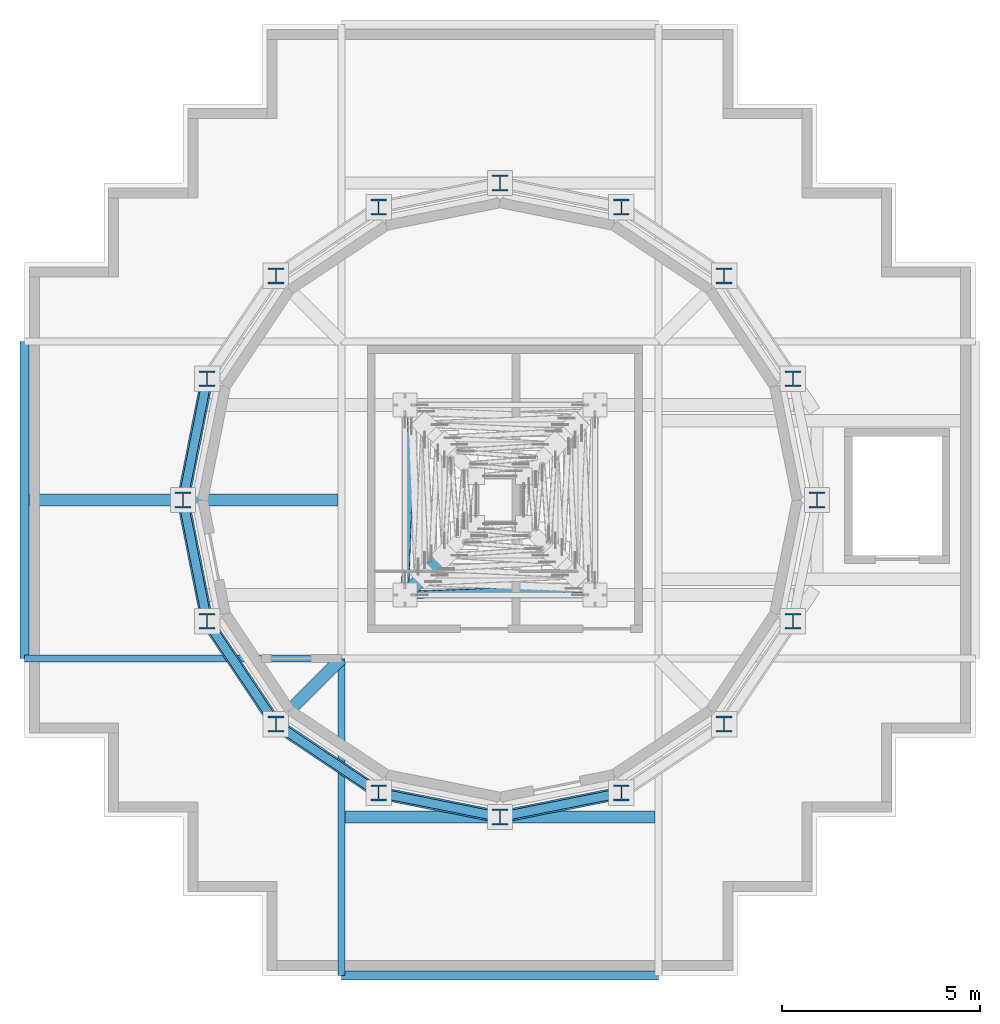
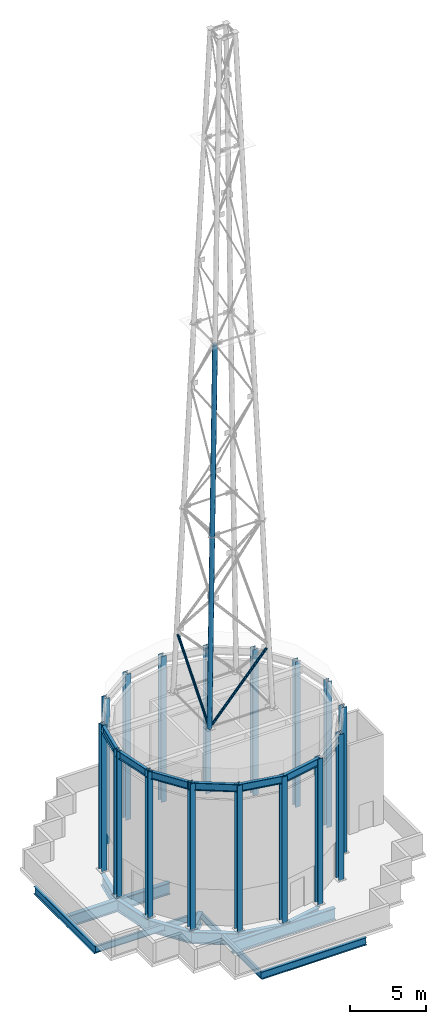
# One storey, part 1 of 15: 19 beams, 16 columns, 4 members.
"""IFC4 building model written with IfcOpenShell, lengths in metres."""

from ifc_helpers import new_model, si_unit, direction, frame, origin, origin_2d, place, context, subcontext, project, spatial, hollow_circle, i_section, extrude, material, material_profile, profile_set, type_object, element, save


model = new_model("IFC4")

# Units and contexts
model_context = context("Model", 3, precision=1e-05, world=origin(), true_north=direction((0.0, 1.0)))
body_context = subcontext(model_context, "Body", "Model", "MODEL_VIEW")
ifc_project = project(units=[si_unit("LENGTHUNIT", "METRE"), si_unit("AREAUNIT", "SQUARE_METRE"), si_unit("VOLUMEUNIT", "CUBIC_METRE"), si_unit("PLANEANGLEUNIT", "RADIAN"), si_unit("MASSUNIT", "GRAM", prefix="KILO")], contexts=[model_context])

# Site, building, storey
site_placement = place(None, origin())
site = spatial("IfcSite", under=ifc_project, at=site_placement, CompositionType="ELEMENT")
building_placement = place(site_placement, origin())
building = spatial("IfcBuilding", under=site, at=building_placement, Name="Immortelle Media Tower", CompositionType="ELEMENT")
storey_placement = place(building_placement, frame((0.0, 0.0, 308.0)))
storey = spatial("IfcBuildingStorey", under=building, at=storey_placement, Name="Roof", CompositionType="ELEMENT", Elevation=308.0)

# Columns
ifc_material_1 = material(Name="Steel ASTM A992 Gr 50", Category="steel")
ifc_material_profile_1 = material_profile(ifc_material_1, i_section(OverallWidth=0.40087890625, OverallDepth=0.39892578125, WebThickness=0.02490234375, FlangeThickness=0.0400390625, at=origin_2d()), Name="W14x211")
ifc_profile_set_1 = profile_set([ifc_material_profile_1], Name="Steel ASTM A992 Gr 50")
column_type = type_object("IfcColumnType", Name="W14x211 column", PredefinedType="COLUMN", material=ifc_profile_set_1)
for number, where, z_axis, x_axis, name in (
    (1, (20.0, 12.0, 0.0), (0.0, 0.0, 1.0), (1.0, 0.0, 0.0), "Drum column 1"),
    (2, (19.39111328125, 15.0615234375, 0.0), (0.0, 0.0, 1.0), (1.0, 0.0, 0.0), "Drum column 2"),
    (3, (17.656982421875, 17.656982421875, 0.0), (0.0, 0.0, 1.0), (1.0, 0.0, 0.0), "Drum column 3"),
    (4, (15.0615234375, 19.39111328125, 0.0), (0.0, 0.0, 1.0), (1.0, 0.0, 0.0), "Drum column 4"),
    (5, (12.0, 20.0, 0.0), (0.0, 0.0, 1.0), (1.0, 0.0, 0.0), "Drum column 5"),
    (6, (8.9384765625, 19.39111328125, 0.0), (0.0, 0.0, 1.0), (1.0, 0.0, 0.0), "Drum column 6"),
    (7, (6.343017578125, 17.656982421875, 0.0), (0.0, 0.0, 1.0), (1.0, 0.0, 0.0), "Drum column 7"),
    (8, (4.60888671875, 15.0615234375, 0.0), (0.0, 0.0, 1.0), (1.0, 0.0, 0.0), "Drum column 8"),
    (9, (4.0, 12.0, 0.0), (0.0, 0.0, 1.0), (1.0, 0.0, 0.0), "Drum column 9"),
    (10, (4.60888671875, 8.9384765625, 0.0), (0.0, 0.0, 1.0), (1.0, 0.0, 0.0), "Drum column 10"),
    (11, (6.343017578125, 6.343017578125, 0.0), (0.0, 0.0, 1.0), (1.0, 0.0, 0.0), "Drum column 11"),
    (12, (8.9384765625, 4.60888671875, 0.0), (0.0, 0.0, 1.0), (1.0, 0.0, 0.0), "Drum column 12"),
    (13, (12.0, 4.0, 0.0), (0.0, 0.0, 1.0), (1.0, 0.0, 0.0), "Drum column 13"),
    (14, (15.0615234375, 4.60888671875, 0.0), (0.0, 0.0, 1.0), (1.0, 0.0, 0.0), "Drum column 14"),
    (15, (17.656982421875, 6.343017578125, 0.0), (0.0, 0.0, 1.0), (1.0, 0.0, 0.0), "Drum column 15"),
    (16, (19.39111328125, 8.9384765625, 0.0), (0.0, 0.0, 1.0), (1.0, 0.0, 0.0), "Drum column 16"),
):
    element("IfcColumn", number, at=place(storey_placement, frame(where, z_axis=z_axis, x_axis=x_axis)), inside=storey, type_object=column_type, Name=name, PredefinedType="COLUMN", context=body_context, shape_type="SweptSolid", body=[
        extrude(i_section(OverallWidth=0.40087890625, OverallDepth=0.39892578125, WebThickness=0.02490234375, FlangeThickness=0.0400390625, at=origin_2d()), origin(), (0.0, 0.0, 1.0), 11.75),
    ])

# Members
ifc_material_2 = material(Name="Steel S355J2H", Category="steel")
ifc_material_profile_2 = material_profile(ifc_material_2, hollow_circle(Radius=0.096923828125, WallThickness=0.008056640625, at=origin_2d()), Name="CHS 193.7 x 8")
ifc_profile_set_2 = profile_set([ifc_material_profile_2], Name="Steel S355J2H")
member_type_1 = type_object("IfcMemberType", Name="MAST brace CHS 193.7 x 8", PredefinedType="BRACE", material=ifc_profile_set_2)
for number, where, z_axis, x_axis, name in (
    (17, (9.772705078125, 9.606201171875, 13.17626953125), (0.679475653156, 0.024450755155, 0.73329052724), (-0.035961464902, 0.999353177331, 0.0), "MAST brace 1A"),
    (18, (9.606201171875, 9.772705078125, 13.17626953125), (0.024450755155, 0.679475653156, 0.73329052724), (-0.999353177331, 0.035961464902, 0.0), "MAST brace 1D"),
):
    element("IfcMember", number, at=place(storey_placement, frame(where, z_axis=z_axis, x_axis=x_axis)), inside=storey, type_object=member_type_1, Name=name, PredefinedType="BRACE", context=body_context, shape_type="SweptSolid", body=[
        extrude(hollow_circle(Radius=0.096923828125, WallThickness=0.008056640625, at=origin_2d()), origin(), (0.0, 0.0, 1.0), 6.310546875),
    ])
ifc_material_profile_3 = material_profile(ifc_material_2, hollow_circle(Radius=0.177734375, WallThickness=0.012451171875, at=origin_2d()), Name="CHS 355.6 x 12.5")
ifc_profile_set_3 = profile_set([ifc_material_profile_3], Name="Steel S355J2H")
member_type_2 = type_object("IfcMemberType", Name="MAST leg CHS 355.6 x 12.5", PredefinedType="POST", material=ifc_profile_set_3)
member_1_placement = place(storey_placement, frame((10.10009765625, 10.10009765625, 27.989990234375), z_axis=(0.033296357911, 0.033296357911, 0.998890737318), x_axis=(-0.707106781187, 0.707106781187, 0.0)))
element("IfcMember", 19, at=member_1_placement, inside=storey, type_object=member_type_2, Name="MAST leg A 15-30", PredefinedType="POST", context=body_context, shape_type="SweptSolid", body=[
    extrude(hollow_circle(Radius=0.177734375, WallThickness=0.012451171875, at=origin_2d()), origin(), (0.0, 0.0, 1.0), 15.0166015625),
])
ifc_material_profile_4 = material_profile(ifc_material_2, hollow_circle(Radius=0.177734375, WallThickness=0.01611328125, at=origin_2d()), Name="CHS 355.6 x 16")
ifc_profile_set_4 = profile_set([ifc_material_profile_4], Name="Steel S355J2H")
member_type_3 = type_object("IfcMemberType", Name="MAST leg CHS 355.6 x 16", PredefinedType="POST", material=ifc_profile_set_4)
member_2_placement = place(storey_placement, frame((9.60009765625, 9.60009765625, 12.989990234375), z_axis=(0.033296357911, 0.033296357911, 0.998890737318), x_axis=(-0.707106781187, 0.707106781187, 0.0)))
element("IfcMember", 20, at=member_2_placement, inside=storey, type_object=member_type_3, Name="MAST leg A 0-15", PredefinedType="POST", context=body_context, shape_type="SweptSolid", body=[
    extrude(hollow_circle(Radius=0.177734375, WallThickness=0.01611328125, at=origin_2d()), origin(), (0.0, 0.0, 1.0), 15.0166015625),
])

# Beams
ifc_material_profile_5 = material_profile(ifc_material_1, i_section(OverallWidth=0.1669921875, OverallDepth=0.535888671875, WebThickness=0.010009765625, FlangeThickness=0.01708984375, at=origin_2d()), Name="W21x57")
ifc_profile_set_5 = profile_set([ifc_material_profile_5], Name="Steel ASTM A992 Gr 50")
beam_type_1 = type_object("IfcBeamType", Name="W21x57 girder", PredefinedType="BEAM", material=ifc_profile_set_5)
for number, where, z_axis, x_axis, name in (
    (21, (0.0, 8.0, -0.51806640625), (1.0, 0.0, 0.0), (0.0, 1.0, 0.0), "Girder B/1-2"),
    (22, (8.0, 0.0, -0.51806640625), (0.0, 1.0, 0.0), (-1.0, 0.0, 0.0), "Girder 2/A-B"),
):
    element("IfcBeam", number, at=place(storey_placement, frame(where, z_axis=z_axis, x_axis=x_axis)), inside=storey, type_object=beam_type_1, Name=name, PredefinedType="BEAM", context=body_context, shape_type="SweptSolid", body=[
        extrude(i_section(OverallWidth=0.1669921875, OverallDepth=0.535888671875, WebThickness=0.010009765625, FlangeThickness=0.01708984375, at=origin_2d()), origin(), (0.0, 0.0, 1.0), 8.0),
    ])
ifc_material_profile_6 = material_profile(ifc_material_1, i_section(OverallWidth=0.22900390625, OverallDepth=0.612060546875, WebThickness=0.011962890625, FlangeThickness=0.02001953125, at=origin_2d()), Name="W24x84")
ifc_profile_set_6 = profile_set([ifc_material_profile_6], Name="Steel ASTM A992 Gr 50")
beam_type_2 = type_object("IfcBeamType", Name="W24x84 drum crown ring beam", PredefinedType="SPANDREL", material=ifc_profile_set_6)
for number, where, z_axis, x_axis, name in (
    (23, (4.60888671875, 15.0615234375, 11.444091796875), (-0.195063155143, -0.980790683839, 0.0), (0.980790683839, -0.195063155143, 0.0), "Drum ring beam 8"),
    (24, (4.0, 12.0, 11.444091796875), (0.195063155143, -0.980790683839, 0.0), (0.980790683839, 0.195063155143, 0.0), "Drum ring beam 9"),
    (25, (4.60888671875, 8.9384765625, 11.444091796875), (0.555548220115, -0.831484320434, 0.0), (0.831484320434, 0.555548220115, 0.0), "Drum ring beam 10"),
    (26, (6.343017578125, 6.343017578125, 11.444091796875), (0.831484320434, -0.555548220115, 0.0), (0.555548220115, 0.831484320434, 0.0), "Drum ring beam 11"),
    (27, (8.9384765625, 4.60888671875, 11.444091796875), (0.980790683839, -0.195063155143, 0.0), (0.195063155143, 0.980790683839, 0.0), "Drum ring beam 12"),
    (28, (12.0, 4.0, 11.444091796875), (0.980790683839, 0.195063155143, 0.0), (-0.195063155143, 0.980790683839, 0.0), "Drum ring beam 13"),
):
    element("IfcBeam", number, at=place(storey_placement, frame(where, z_axis=z_axis, x_axis=x_axis)), inside=storey, type_object=beam_type_2, Name=name, PredefinedType="SPANDREL", context=body_context, shape_type="SweptSolid", body=[
        extrude(i_section(OverallWidth=0.22900390625, OverallDepth=0.612060546875, WebThickness=0.011962890625, FlangeThickness=0.02001953125, at=origin_2d()), origin(), (0.0, 0.0, 1.0), 3.12158203125),
    ])
ifc_material_profile_7 = material_profile(ifc_material_1, i_section(OverallWidth=0.22900390625, OverallDepth=0.612060546875, WebThickness=0.011962890625, FlangeThickness=0.02001953125, at=origin_2d()), Name="W24x84")
ifc_profile_set_7 = profile_set([ifc_material_profile_7], Name="Steel ASTM A992 Gr 50")
beam_type_3 = type_object("IfcBeamType", Name="W24x84 perimeter girder", PredefinedType="SPANDREL", material=ifc_profile_set_7)
for number, where, z_axis, x_axis, name in (
    (29, (0.0, 8.0, -0.555908203125), (0.0, 1.0, 0.0), (-1.0, 0.0, 0.0), "Girder 1/B-C"),
    (30, (8.0, 0.0, -0.555908203125), (1.0, 0.0, 0.0), (0.0, 1.0, 0.0), "Girder A/2-3"),
):
    element("IfcBeam", number, at=place(storey_placement, frame(where, z_axis=z_axis, x_axis=x_axis)), inside=storey, type_object=beam_type_3, Name=name, PredefinedType="SPANDREL", context=body_context, shape_type="SweptSolid", body=[
        extrude(i_section(OverallWidth=0.22900390625, OverallDepth=0.612060546875, WebThickness=0.011962890625, FlangeThickness=0.02001953125, at=origin_2d()), origin(), (0.0, 0.0, 1.0), 8.0),
    ])
ifc_material_profile_8 = material_profile(ifc_material_1, i_section(OverallWidth=0.31005859375, OverallDepth=0.949951171875, WebThickness=0.02392578125, FlangeThickness=0.0439453125, at=origin_2d()), Name="W36x256")
ifc_profile_set_8 = profile_set([ifc_material_profile_8], Name="Steel ASTM A992 Gr 50")
beam_type_4 = type_object("IfcBeamType", Name="W36x256 drum base ring beam", PredefinedType="SPANDREL", material=ifc_profile_set_8)
for number, where, z_axis, x_axis, name in (
    (31, (4.60888671875, 15.0615234375, -0.72509765625), (-0.195063155143, -0.980790683839, 0.0), (0.980790683839, -0.195063155143, 0.0), "Drum base ring beam 8"),
    (32, (4.0, 12.0, -0.72509765625), (0.195063155143, -0.980790683839, 0.0), (0.980790683839, 0.195063155143, 0.0), "Drum base ring beam 9"),
    (33, (4.60888671875, 8.9384765625, -0.72509765625), (0.555548220115, -0.831484320434, 0.0), (0.831484320434, 0.555548220115, 0.0), "Drum base ring beam 10"),
    (34, (6.343017578125, 6.343017578125, -0.72509765625), (0.831484320434, -0.555548220115, 0.0), (0.555548220115, 0.831484320434, 0.0), "Drum base ring beam 11"),
    (35, (8.9384765625, 4.60888671875, -0.72509765625), (0.980790683839, -0.195063155143, 0.0), (0.195063155143, 0.980790683839, 0.0), "Drum base ring beam 12"),
    (36, (12.0, 4.0, -0.72509765625), (0.980790683839, 0.195063155143, 0.0), (-0.195063155143, 0.980790683839, 0.0), "Drum base ring beam 13"),
):
    element("IfcBeam", number, at=place(storey_placement, frame(where, z_axis=z_axis, x_axis=x_axis)), inside=storey, type_object=beam_type_4, Name=name, PredefinedType="SPANDREL", context=body_context, shape_type="SweptSolid", body=[
        extrude(i_section(OverallWidth=0.31005859375, OverallDepth=0.949951171875, WebThickness=0.02392578125, FlangeThickness=0.0439453125, at=origin_2d()), origin(), (0.0, 0.0, 1.0), 3.12158203125),
    ])
ifc_material_profile_9 = material_profile(ifc_material_1, i_section(OverallWidth=0.31005859375, OverallDepth=0.949951171875, WebThickness=0.02392578125, FlangeThickness=0.0439453125, at=origin_2d()), Name="W36x256")
ifc_profile_set_9 = profile_set([ifc_material_profile_9], Name="Steel ASTM A992 Gr 50")
beam_type_5 = type_object("IfcBeamType", Name="W36x256 drum radial girder", PredefinedType="BEAM", material=ifc_profile_set_9)
beam_1_placement = place(storey_placement, frame((6.343017578125, 6.343017578125, -0.72509765625), z_axis=(0.707106781187, 0.707106781187, 0.0), x_axis=(-0.707106781187, 0.707106781187, 0.0)))
element("IfcBeam", 37, at=beam_1_placement, inside=storey, type_object=beam_type_5, Name="Drum radial girder 3", PredefinedType="BEAM", context=body_context, shape_type="SweptSolid", body=[
    extrude(i_section(OverallWidth=0.31005859375, OverallDepth=0.949951171875, WebThickness=0.02392578125, FlangeThickness=0.0439453125, at=origin_2d()), origin(), (0.0, 0.0, 1.0), 2.34326171875),
])
ifc_material_profile_10 = material_profile(ifc_material_1, i_section(OverallWidth=0.31005859375, OverallDepth=0.949951171875, WebThickness=0.02392578125, FlangeThickness=0.0439453125, at=origin_2d()), Name="W36x256")
ifc_profile_set_10 = profile_set([ifc_material_profile_10], Name="Steel ASTM A992 Gr 50")
beam_type_6 = type_object("IfcBeamType", Name="W36x256 secondary beam", PredefinedType="JOIST", material=ifc_profile_set_10)
beam_2_placement = place(storey_placement, frame((8.08349609375, 4.0, -0.72509765625), z_axis=(1.0, 0.0, 0.0), x_axis=(0.0, 1.0, 0.0)))
element("IfcBeam", 38, at=beam_2_placement, inside=storey, type_object=beam_type_6, Name="Beam A-B/2-3", PredefinedType="JOIST", context=body_context, shape_type="SweptSolid", body=[
    extrude(i_section(OverallWidth=0.31005859375, OverallDepth=0.949951171875, WebThickness=0.02392578125, FlangeThickness=0.0439453125, at=origin_2d()), origin(), (0.0, 0.0, 1.0), 7.8330078125),
])
beam_3_placement = place(storey_placement, frame((0.114501953125, 12.0, -0.72509765625), z_axis=(1.0, 0.0, 0.0), x_axis=(0.0, 1.0, 0.0)))
element("IfcBeam", 39, at=beam_3_placement, inside=storey, type_object=beam_type_6, Name="Beam B-C/1-2", PredefinedType="JOIST", context=body_context, shape_type="SweptSolid", body=[
    extrude(i_section(OverallWidth=0.31005859375, OverallDepth=0.949951171875, WebThickness=0.02392578125, FlangeThickness=0.0439453125, at=origin_2d()), origin(), (0.0, 0.0, 1.0), 7.802001953125),
])

save(model, "model.ifc")
